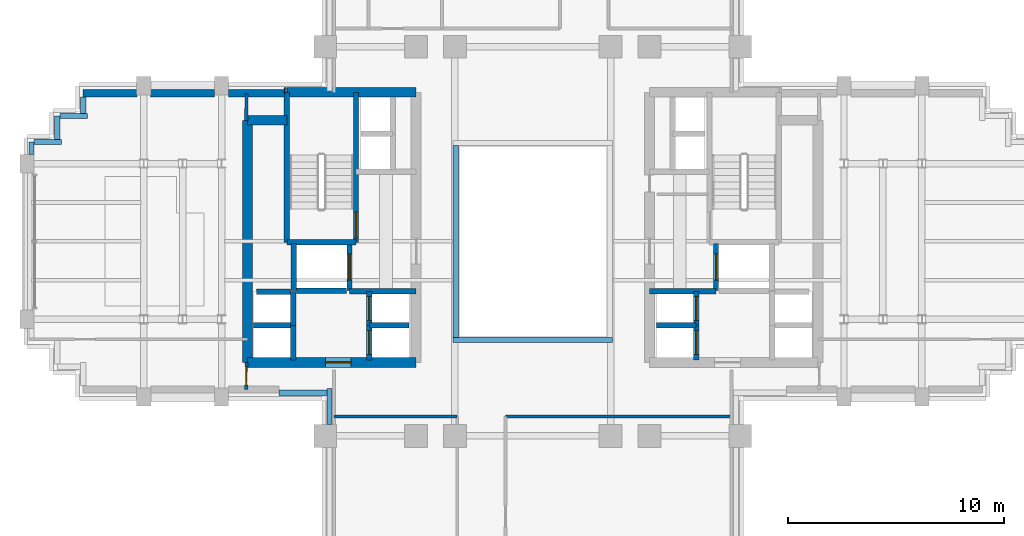
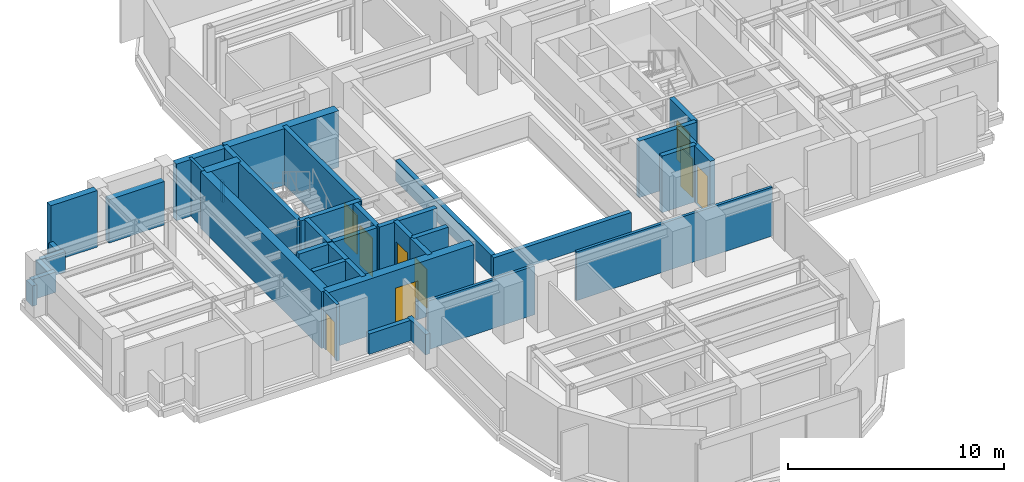
# One storey, part 8 of 13: 40 walls, 9 doors, 9 openings.
"""IFC4 building model written with IfcOpenShell, lengths in metres."""

from ifc_helpers import new_model, si_unit, direction, frame, frame_2d, origin, place, context, subcontext, project, spatial, rectangle, extrude, source, transform, mapped, material, layer, layer_set, type_object, element, fill, save


model = new_model("IFC4")

# Units and contexts
model_context = context("Model", 3, precision=1e-05, world=origin(), true_north=direction((0.0, 1.0)))
body_context = subcontext(model_context, "Body", "Model", "MODEL_VIEW")
ifc_project = project(units=[si_unit("LENGTHUNIT", "METRE"), si_unit("AREAUNIT", "SQUARE_METRE"), si_unit("VOLUMEUNIT", "CUBIC_METRE"), si_unit("PLANEANGLEUNIT", "RADIAN"), si_unit("MASSUNIT", "GRAM", prefix="KILO")], contexts=[model_context])

# Site, building, storey
site_placement = place(None, origin())
site = spatial("IfcSite", under=ifc_project, at=site_placement, CompositionType="ELEMENT")
building_placement = place(site_placement, origin())
building = spatial("IfcBuilding", under=site, at=building_placement, Name="Keilestroom Media Tower", CompositionType="ELEMENT")
storey_placement = place(building_placement, frame((0.0, 0.0, 97.199951171875)))
storey = spatial("IfcBuildingStorey", under=building, at=storey_placement, Name="L25", CompositionType="ELEMENT", Elevation=97.199951171875)

# Walls
ifc_material_1 = material(Name="Precast concrete C40/50", Category="concrete")
ifc_layer_1 = layer(ifc_material_1, 0.340087890625)
ifc_layer_set_1 = layer_set([ifc_layer_1], Name="Precast concrete C40/50")
wall_type_1 = type_object("IfcWallType", Name="Exterior-Masonry-Spandrel-Wall-340", PredefinedType="SOLIDWALL", material=ifc_layer_set_1)
wall_1_placement = place(storey_placement, frame((-20.800048828125, 6.85009765625, 0.0), z_axis=(0.0, 0.0, 1.0), x_axis=(1.0, 0.0, 0.0)))
element("IfcWall", 1, at=wall_1_placement, inside=storey, type_object=wall_type_1, Name="L25 Flank Masonry Wall EWL-L25-NW-1", PredefinedType="SOLIDWALL", context=body_context, shape_type="SweptSolid", body=[
    extrude(rectangle(XDim=2.483154296875, YDim=0.340087890625, at=frame_2d((1.24169921875, 0.0))), origin(), (0.0, 0.0, 1.0), 3.199951171875),
])
wall_2_placement = place(storey_placement, frame((-17.68310546875, 6.85009765625, 0.0), z_axis=(0.0, 0.0, 1.0), x_axis=(1.0, 0.0, 0.0)))
element("IfcWall", 2, at=wall_2_placement, inside=storey, type_object=wall_type_1, Name="L25 Flank Masonry Wall EWL-L25-NW-2", PredefinedType="SOLIDWALL", context=body_context, shape_type="SweptSolid", body=[
    extrude(rectangle(XDim=2.966064453125, YDim=0.340087890625, at=frame_2d((1.48291015625, 0.0))), origin(), (0.0, 0.0, 1.0), 2.449951171875),
])
wall_3_placement = place(storey_placement, frame((-14.0830078125, 6.85009765625, 0.0), z_axis=(0.0, 0.0, 1.0), x_axis=(1.0, 0.0, 0.0)))
element("IfcWall", 3, at=wall_3_placement, inside=storey, type_object=wall_type_1, Name="L25 Flank Masonry Wall EWL-L25-NW-3", PredefinedType="SOLIDWALL", context=body_context, shape_type="SweptSolid", body=[
    extrude(rectangle(XDim=2.5849609375, YDim=0.340087890625, at=frame_2d((1.29248046875, 0.0))), origin(), (0.0, 0.0, 1.0), 3.199951171875),
])
ifc_material_2 = material(Name="Gypsum Plasterboard & Steel Stud", Category="steel")
ifc_layer_2 = layer(ifc_material_2, 0.14990234375)
ifc_layer_set_2 = layer_set([ifc_layer_2], Name="Gypsum Plasterboard & Steel Stud")
wall_type_2 = type_object("IfcWallType", Name="Interior-Partition-Wall-150", PredefinedType="PARTITIONING", material=ifc_layer_set_2)
wall_4_placement = place(storey_placement, frame((-9.199951171875, -8.10009765625, 0.0), z_axis=(0.0, 0.0, 1.0), x_axis=(1.0, 0.0, 0.0)))
element("IfcWall", 4, at=wall_4_placement, inside=storey, type_object=wall_type_2, Name="L25 Interior Wall WP-L25-SL-BASE-W", PredefinedType="PARTITIONING", context=body_context, shape_type="SweptSolid", body=[
    extrude(rectangle(XDim=5.699951171875, YDim=0.14990234375, at=frame_2d((2.85009765625, 0.0))), origin(), (0.0, 0.0, 1.0), 2.760009765625),
])
wall_5_placement = place(storey_placement, frame((-1.260009765625, -8.10009765625, 0.0), z_axis=(0.0, 0.0, 1.0), x_axis=(1.0, 0.0, 0.0)))
element("IfcWall", 5, at=wall_5_placement, inside=storey, type_object=wall_type_2, Name="L25 Interior Wall WP-L25-SL-BASE-E", PredefinedType="PARTITIONING", context=body_context, shape_type="SweptSolid", body=[
    extrude(rectangle(XDim=10.4599609375, YDim=0.14990234375, at=frame_2d((5.22998046875, 0.0))), origin(), (0.0, 0.0, 1.0), 2.760009765625),
])
wall_6_placement = place(storey_placement, frame((-13.260009765625, 5.60009765625, 0.0), z_axis=(0.0, 0.0, 1.0), x_axis=(0.016013571389, 0.999871774545, 0.0)))
element("IfcWall", 6, at=wall_6_placement, inside=storey, type_object=wall_type_2, Name="L25 Interior Wall WP-L25-WA-ENTN", PredefinedType="PARTITIONING", context=body_context, shape_type="SweptSolid", body=[
    extrude(rectangle(XDim=1.250244140625, YDim=0.14990234375, at=frame_2d((0.625, 0.0))), origin(), (0.0, 0.0, 1.0), 3.199951171875),
])

# Wall, opening, door
wall_7_placement = place(storey_placement, frame((-13.260009765625, -6.85009765625, 0.0), z_axis=(0.0, 0.0, 1.0), x_axis=(0.016013571389, 0.999871774545, 0.0)))
wall_7 = element("IfcWall", 7, at=wall_7_placement, inside=storey, type_object=wall_type_2, Name="L25 Interior Wall WP-L25-WA-ENTS", PredefinedType="PARTITIONING", context=body_context, shape_type="SweptSolid", body=[
    extrude(rectangle(XDim=1.250244140625, YDim=0.14990234375, at=frame_2d((0.625, 0.0))), origin(), (0.0, 0.0, 1.0), 3.199951171875),
])
opening_1_placement = place(wall_7_placement, frame((0.199951171875, 0.0, 0.0)))
opening_1 = element("IfcOpeningElement", 8, at=opening_1_placement, cuts=wall_7, Name="Opening DI-05", PredefinedType="OPENING", context=body_context, shape_type="SweptSolid", body=[
    extrude(rectangle(XDim=0.85009765625, YDim=2.10009765625, at=frame_2d((0.425048828125, 1.050048828125))), frame((0.0, 0.0849609375, 0.0), z_axis=(0.0, -1.0, 0.0), x_axis=(1.0, 0.0, 0.0)), (0.0, 0.0, 1.0), 0.169921875),
])
ifc_material_3 = material(Name="Moisture-Resistant Oak Leaf", Category="wood")
door_type_1 = type_object("IfcDoorType", Name="Interior-En-Suite-And-Cupboard-Door-DI-05", OperationType="NOTDEFINED", PredefinedType="DOOR", material=ifc_material_3)
shared_shape_1 = source(origin(), body_context, "Body", "SweptSolid", [
    extrude(rectangle(XDim=0.85009765625, YDim=2.10009765625, at=frame_2d((0.425048828125, 1.050048828125))), frame((0.0, 0.02490234375, 0.0), z_axis=(0.0, -1.0, 0.0), x_axis=(1.0, 0.0, 0.0)), (0.0, 0.0, 1.0), 0.050048828125),
])
door_1_placement = place(opening_1_placement, origin())
door_1 = element("IfcDoor", 9, at=door_1_placement, inside=storey, type_object=door_type_1, Name="L25 Interior Door DI-L25-DWA-ENTS", OperationType="SINGLE_SWING_RIGHT", OverallHeight=2.10009765625, OverallWidth=0.85009765625, PredefinedType="DOOR", context=body_context, shape_type="MappedRepresentation", body=[
    mapped(shared_shape_1, transform((0.0, 0.0, 0.0), x_axis=(1.0, 0.0, 0.0), y_axis=(0.0, 1.0, 0.0), z_axis=(0.0, 0.0, 1.0), scale=1.0)),
])
fill(opening_1, door_1)

# Walls
ifc_material_4 = material(Name="Concrete C55/67", Category="concrete")
ifc_layer_3 = layer(ifc_material_4, 0.449951171875)
ifc_layer_set_3 = layer_set([ifc_layer_3], Name="Concrete C55/67")
wall_type_3 = type_object("IfcWallType", Name="Reinforced-Concrete-Core-Shear-Wall-450", PredefinedType="SHEAR", material=ifc_layer_set_3)
wall_8_placement = place(storey_placement, frame((-13.199951171875, -5.60009765625, 0.0), z_axis=(0.0, 0.0, 1.0), x_axis=(0.0, 1.0, 0.0)))
element("IfcWall", 10, at=wall_8_placement, inside=storey, type_object=wall_type_3, Name="L25 Core Shear Wall WL-L25-CORE-W-OUT", PredefinedType="SHEAR", context=body_context, shape_type="SweptSolid", body=[
    extrude(rectangle(XDim=11.2001953125, YDim=0.449951171875, at=frame_2d((5.60009765625, 0.0))), origin(), (0.0, 0.0, 1.0), 3.199951171875),
])
wall_9_placement = place(storey_placement, frame((-11.381103515625, 6.89990234375, 0.0), z_axis=(0.0, 0.0, 1.0), x_axis=(1.0, 0.0, 0.0)))
element("IfcWall", 11, at=wall_9_placement, inside=storey, type_object=wall_type_3, Name="L25 Core Shear Wall WL-L25-CORE-W-N", PredefinedType="SHEAR", context=body_context, shape_type="SweptSolid", body=[
    extrude(rectangle(XDim=5.981201171875, YDim=0.449951171875, at=frame_2d((2.99072265625, 0.0))), origin(), (0.0, 0.0, 1.0), 3.199951171875),
])
wall_10_placement = place(storey_placement, frame((-13.199951171875, 5.60009765625, 0.0), z_axis=(0.0, 0.0, 1.0), x_axis=(1.0, 0.0, 0.0)))
element("IfcWall", 12, at=wall_10_placement, inside=storey, type_object=wall_type_3, Name="L25 Core Shear Wall WL-L25-CNW-N", PredefinedType="SHEAR", context=body_context, shape_type="SweptSolid", body=[
    extrude(rectangle(XDim=1.81884765625, YDim=0.449951171875, at=frame_2d((0.909423828125, 0.0))), origin(), (0.0, 0.0, 1.0), 3.199951171875),
])

# Wall, opening, door
wall_11_placement = place(storey_placement, frame((-13.199951171875, -5.60009765625, 0.0), z_axis=(0.0, 0.0, 1.0), x_axis=(1.0, 0.0, 0.0)))
wall_11 = element("IfcWall", 13, at=wall_11_placement, inside=storey, type_object=wall_type_3, Name="L25 Core Shear Wall WL-L25-CORE-W-S", PredefinedType="SHEAR", context=body_context, shape_type="SweptSolid", body=[
    extrude(rectangle(XDim=7.800048828125, YDim=0.449951171875, at=frame_2d((3.89990234375, 0.0))), origin(), (0.0, 0.0, 1.0), 3.199951171875),
])
opening_2_placement = place(wall_11_placement, frame((3.60009765625, 0.0, 0.0)))
opening_2 = element("IfcOpeningElement", 14, at=opening_2_placement, cuts=wall_11, Name="Opening DI-02", PredefinedType="OPENING", context=body_context, shape_type="SweptSolid", body=[
    extrude(rectangle(XDim=1.199951171875, YDim=2.199951171875, at=frame_2d((0.60009765625, 1.10009765625))), frame((0.0, 0.23486328125, 0.0), z_axis=(0.0, -1.0, 0.0), x_axis=(1.0, 0.0, 0.0)), (0.0, 0.0, 1.0), 0.469970703125),
])
ifc_material_5 = material(Name="Powder-Coated Steel Fire Leaf", Category="steel")
door_type_2 = type_object("IfcDoorType", Name="Interior-Compartment-Fire-Door-DI-02", OperationType="NOTDEFINED", PredefinedType="DOOR", material=ifc_material_5)
shared_shape_2 = source(origin(), body_context, "Body", "SweptSolid", [
    extrude(rectangle(XDim=1.199951171875, YDim=2.199951171875, at=frame_2d((0.60009765625, 1.10009765625))), frame((0.0, 0.02490234375, 0.0), z_axis=(0.0, -1.0, 0.0), x_axis=(1.0, 0.0, 0.0)), (0.0, 0.0, 1.0), 0.050048828125),
])
door_2_placement = place(opening_2_placement, origin())
door_2 = element("IfcDoor", 15, at=door_2_placement, inside=storey, type_object=door_type_2, Name="L25 W Passenger Lift Lobby Door", OperationType="SINGLE_SWING_LEFT", OverallHeight=2.199951171875, OverallWidth=1.199951171875, PredefinedType="DOOR", context=body_context, shape_type="MappedRepresentation", body=[
    mapped(shared_shape_2, transform((0.0, 0.0, 0.0), x_axis=(1.0, 0.0, 0.0), y_axis=(0.0, 1.0, 0.0), z_axis=(0.0, 0.0, 1.0), scale=1.0)),
])
fill(opening_2, door_2)

# Wall
ifc_material_6 = material(Name="Concrete C50/60", Category="concrete")
ifc_layer_4 = layer(ifc_material_6, 0.25)
ifc_layer_set_4 = layer_set([ifc_layer_4], Name="Concrete C50/60")
wall_type_4 = type_object("IfcWallType", Name="Reinforced-Concrete-Shaft-Wall-250", PredefinedType="SOLIDWALL", material=ifc_layer_set_4)
wall_12_placement = place(storey_placement, frame((-8.47998046875, -2.300048828125, 0.0), z_axis=(0.0, 0.0, 1.0), x_axis=(1.0, 0.0, 0.0)))
element("IfcWall", 16, at=wall_12_placement, inside=storey, type_object=wall_type_4, Name="L25 Core Shear Wall WL-L25-CORE-W-FFS", PredefinedType="SOLIDWALL", context=body_context, shape_type="SweptSolid", body=[
    extrude(rectangle(XDim=3.080078125, YDim=0.25, at=frame_2d((1.5400390625, 0.0))), origin(), (0.0, 0.0, 1.0), 3.199951171875),
])

# Wall, opening, door
wall_13_placement = place(storey_placement, frame((-8.178955078125, -0.041015625, 0.0), z_axis=(0.0, 0.0, 1.0), x_axis=(0.0, 1.0, 0.0)))
wall_13 = element("IfcWall", 17, at=wall_13_placement, inside=storey, type_object=wall_type_4, Name="L25 Core Shear Wall WL-L25-STW-W-NEAR", PredefinedType="SOLIDWALL", context=body_context, shape_type="SweptSolid", body=[
    extrude(rectangle(XDim=6.94091796875, YDim=0.25, at=frame_2d((3.470458984375, 0.0))), origin(), (0.0, 0.0, 1.0), 3.199951171875),
])
opening_3_placement = place(wall_13_placement, frame((0.199951171875, 0.0, 0.0)))
opening_3 = element("IfcOpeningElement", 18, at=opening_3_placement, cuts=wall_13, Name="Opening DI-01S", PredefinedType="OPENING", context=body_context, shape_type="SweptSolid", body=[
    extrude(rectangle(XDim=1.199951171875, YDim=2.199951171875, at=frame_2d((0.60009765625, 1.10009765625))), frame((0.0, 0.135009765625, 0.0), z_axis=(0.0, -1.0, 0.0), x_axis=(1.0, 0.0, 0.0)), (0.0, 0.0, 1.0), 0.27001953125),
])
door_type_3 = type_object("IfcDoorType", Name="Interior-Stair-And-Core-Fire-Door-DI-01", OperationType="NOTDEFINED", PredefinedType="DOOR", material=ifc_material_5)
door_3_placement = place(opening_3_placement, origin())
door_3 = element("IfcDoor", 19, at=door_3_placement, inside=storey, type_object=door_type_3, Name="L25 Escape Stair ST-1 Fire Door", OperationType="SINGLE_SWING_LEFT", OverallHeight=2.199951171875, OverallWidth=1.199951171875, PredefinedType="DOOR", context=body_context, shape_type="MappedRepresentation", body=[
    mapped(shared_shape_2, transform((0.0, 0.0, 0.0), x_axis=(1.0, 0.0, 0.0), y_axis=(0.0, 1.0, 0.0), z_axis=(0.0, 0.0, 1.0), scale=1.0)),
])
fill(opening_3, door_3)

# Walls
wall_14_placement = place(storey_placement, frame((-11.381103515625, -0.041015625, 0.0), z_axis=(0.0, 0.0, 1.0), x_axis=(0.0, 1.0, 0.0)))
element("IfcWall", 20, at=wall_14_placement, inside=storey, type_object=wall_type_4, Name="L25 Core Shear Wall WL-L25-STW-W-FAR", PredefinedType="SOLIDWALL", context=body_context, shape_type="SweptSolid", body=[
    extrude(rectangle(XDim=6.94091796875, YDim=0.25, at=frame_2d((3.470458984375, 0.0))), origin(), (0.0, 0.0, 1.0), 3.199951171875),
])
wall_15_placement = place(storey_placement, frame((-11.381103515625, -0.041015625, 0.0), z_axis=(0.0, 0.0, 1.0), x_axis=(1.0, 0.0, 0.0)))
element("IfcWall", 21, at=wall_15_placement, inside=storey, type_object=wall_type_4, Name="L25 Core Shear Wall WL-L25-STW-W-S", PredefinedType="SOLIDWALL", context=body_context, shape_type="SweptSolid", body=[
    extrude(rectangle(XDim=3.2021484375, YDim=0.25, at=frame_2d((1.60107421875, 0.0))), origin(), (0.0, 0.0, 1.0), 3.199951171875),
])
wall_16_placement = place(storey_placement, frame((5.39990234375, -2.300048828125, 0.0), z_axis=(0.0, 0.0, 1.0), x_axis=(1.0, 0.0, 0.0)))
element("IfcWall", 22, at=wall_16_placement, inside=storey, type_object=wall_type_4, Name="L25 Core Shear Wall WL-L25-CORE-E-FFS", PredefinedType="SOLIDWALL", context=body_context, shape_type="SweptSolid", body=[
    extrude(rectangle(XDim=3.080078125, YDim=0.25, at=frame_2d((1.5400390625, 0.0))), origin(), (0.0, 0.0, 1.0), 3.199951171875),
])
wall_17_placement = place(storey_placement, frame((-11.050048828125, -2.280029296875, 0.0), z_axis=(0.0, 0.0, 1.0), x_axis=(0.0, 1.0, 0.0)))
element("IfcWall", 23, at=wall_17_placement, inside=storey, type_object=wall_type_4, Name="L25 Core Shear Wall WL-L25-LSH-FFL-1-W", PredefinedType="SOLIDWALL", context=body_context, shape_type="SweptSolid", body=[
    extrude(rectangle(XDim=2.179931640625, YDim=0.25, at=frame_2d((1.08984375, 0.0))), origin(), (0.0, 0.0, 1.0), 3.199951171875),
])

# Wall, opening, door
wall_18_placement = place(storey_placement, frame((-8.47998046875, -2.280029296875, 0.0), z_axis=(0.0, 0.0, 1.0), x_axis=(0.0, 1.0, 0.0)))
wall_18 = element("IfcWall", 24, at=wall_18_placement, inside=storey, type_object=wall_type_4, Name="L25 Core Shear Wall WL-L25-LSH-FFL-1-E", PredefinedType="SOLIDWALL", context=body_context, shape_type="SweptSolid", body=[
    extrude(rectangle(XDim=2.179931640625, YDim=0.25, at=frame_2d((1.08984375, 0.0))), origin(), (0.0, 0.0, 1.0), 3.199951171875),
])
opening_4_placement = place(wall_18_placement, frame((0.489990234375, 0.0, 0.0)))
opening_4 = element("IfcOpeningElement", 25, at=opening_4_placement, cuts=wall_18, Name="Opening LD-02", PredefinedType="OPENING", context=body_context, shape_type="SweptSolid", body=[
    extrude(rectangle(XDim=1.199951171875, YDim=2.199951171875, at=frame_2d((0.60009765625, 1.10009765625))), frame((0.0, 0.135009765625, 0.0), z_axis=(0.0, -1.0, 0.0), x_axis=(1.0, 0.0, 0.0)), (0.0, 0.0, 1.0), 0.27001953125),
])
ifc_material_7 = material(Name="Brushed Stainless Steel Sliding Leaf", Category="steel")
door_type_4 = type_object("IfcDoorType", Name="Lift-Landing-Sliding-Door-LD-02", OperationType="SLIDING_TO_RIGHT", PredefinedType="DOOR", material=ifc_material_7)
door_4_placement = place(opening_4_placement, origin())
door_4 = element("IfcDoor", 26, at=door_4_placement, inside=storey, type_object=door_type_4, Name="L25 Lift FFL-1 Landing Sliding Door", OperationType="SLIDING_TO_RIGHT", OverallHeight=2.199951171875, OverallWidth=1.199951171875, PredefinedType="DOOR", context=body_context, shape_type="MappedRepresentation", body=[
    mapped(shared_shape_2, transform((0.0, 0.0, 0.0), x_axis=(1.0, 0.0, 0.0), y_axis=(0.0, 1.0, 0.0), z_axis=(0.0, 0.0, 1.0), scale=1.0)),
])
fill(opening_4, door_4)

# Wall
wall_19_placement = place(storey_placement, frame((-10.9208984375, -2.280029296875, 0.0), z_axis=(0.0, 0.0, 1.0), x_axis=(1.0, 0.0, 0.0)))
element("IfcWall", 27, at=wall_19_placement, inside=storey, type_object=wall_type_4, Name="L25 Core Shear Wall WL-L25-LSH-FFL-1-S", PredefinedType="SOLIDWALL", context=body_context, shape_type="SweptSolid", body=[
    extrude(rectangle(XDim=2.31201171875, YDim=0.25, at=frame_2d((1.156005859375, 0.0))), origin(), (0.0, 0.0, 1.0), 3.199951171875),
])

# Wall, opening, door
wall_20_placement = place(storey_placement, frame((8.47998046875, -2.280029296875, 0.0), z_axis=(0.0, 0.0, 1.0), x_axis=(0.0, 1.0, 0.0)))
wall_20 = element("IfcWall", 28, at=wall_20_placement, inside=storey, type_object=wall_type_4, Name="L25 Core Shear Wall WL-L25-LSH-FFL-2-W", PredefinedType="SOLIDWALL", context=body_context, shape_type="SweptSolid", body=[
    extrude(rectangle(XDim=2.179931640625, YDim=0.25, at=frame_2d((1.08984375, 0.0))), origin(), (0.0, 0.0, 1.0), 3.199951171875),
])
opening_5_placement = place(wall_20_placement, frame((0.489990234375, 0.0, 0.0)))
opening_5 = element("IfcOpeningElement", 29, at=opening_5_placement, cuts=wall_20, Name="Opening LD-02", PredefinedType="OPENING", context=body_context, shape_type="SweptSolid", body=[
    extrude(rectangle(XDim=1.199951171875, YDim=2.199951171875, at=frame_2d((0.60009765625, 1.10009765625))), frame((0.0, 0.135009765625, 0.0), z_axis=(0.0, -1.0, 0.0), x_axis=(1.0, 0.0, 0.0)), (0.0, 0.0, 1.0), 0.27001953125),
])
door_5_placement = place(opening_5_placement, origin())
door_5 = element("IfcDoor", 30, at=door_5_placement, inside=storey, type_object=door_type_4, Name="L25 Lift FFL-2 Landing Sliding Door", OperationType="SLIDING_TO_RIGHT", OverallHeight=2.199951171875, OverallWidth=1.199951171875, PredefinedType="DOOR", context=body_context, shape_type="MappedRepresentation", body=[
    mapped(shared_shape_2, transform((0.0, 0.0, 0.0), x_axis=(1.0, 0.0, 0.0), y_axis=(0.0, 1.0, 0.0), z_axis=(0.0, 0.0, 1.0), scale=1.0)),
])
fill(opening_5, door_5)

# Walls
wall_21_placement = place(storey_placement, frame((-11.080078125, -5.47998046875, 0.0), z_axis=(0.0, 0.0, 1.0), x_axis=(0.0, 1.0, 0.0)))
element("IfcWall", 31, at=wall_21_placement, inside=storey, type_object=wall_type_4, Name="L25 Core Shear Wall WL-L25-LSH-PL-L1-E", PredefinedType="SOLIDWALL", context=body_context, shape_type="SweptSolid", body=[
    extrude(rectangle(XDim=1.60009765625, YDim=0.25, at=frame_2d((0.800048828125, 0.0))), origin(), (0.0, 0.0, 1.0), 3.199951171875),
])
wall_22_placement = place(storey_placement, frame((-12.919921875, -3.8798828125, 0.0), z_axis=(0.0, 0.0, 1.0), x_axis=(1.0, 0.0, 0.0)))
element("IfcWall", 32, at=wall_22_placement, inside=storey, type_object=wall_type_4, Name="L25 Core Shear Wall WL-L25-LSH-PL-L1-N", PredefinedType="SOLIDWALL", context=body_context, shape_type="SweptSolid", body=[
    extrude(rectangle(XDim=1.83984375, YDim=0.25, at=frame_2d((0.919921875, 0.0))), origin(), (0.0, 0.0, 1.0), 3.199951171875),
])
wall_23_placement = place(storey_placement, frame((-11.080078125, -3.8798828125, 0.0), z_axis=(0.0, 0.0, 1.0), x_axis=(0.0, 1.0, 0.0)))
element("IfcWall", 33, at=wall_23_placement, inside=storey, type_object=wall_type_4, Name="L25 Core Shear Wall WL-L25-LSH-PL-L2-E", PredefinedType="SOLIDWALL", context=body_context, shape_type="SweptSolid", body=[
    extrude(rectangle(XDim=1.559814453125, YDim=0.25, at=frame_2d((0.77978515625, 0.0))), origin(), (0.0, 0.0, 1.0), 3.199951171875),
])
wall_24_placement = place(storey_placement, frame((-12.791015625, -2.320068359375, 0.0), z_axis=(0.0, 0.0, 1.0), x_axis=(1.0, 0.0, 0.0)))
element("IfcWall", 34, at=wall_24_placement, inside=storey, type_object=wall_type_4, Name="L25 Core Shear Wall WL-L25-LSH-PL-L2-N", PredefinedType="SOLIDWALL", context=body_context, shape_type="SweptSolid", body=[
    extrude(rectangle(XDim=1.58203125, YDim=0.25, at=frame_2d((0.791015625, 0.0))), origin(), (0.0, 0.0, 1.0), 3.199951171875),
])

# Wall, opening, door
wall_25_placement = place(storey_placement, frame((-7.56005859375, -5.47998046875, 0.0), z_axis=(0.0, 0.0, 1.0), x_axis=(0.0, 1.0, 0.0)))
wall_25 = element("IfcWall", 35, at=wall_25_placement, inside=storey, type_object=wall_type_4, Name="L25 Core Shear Wall WL-L25-LSH-PL-M1-W", PredefinedType="SOLIDWALL", context=body_context, shape_type="SweptSolid", body=[
    extrude(rectangle(XDim=1.60009765625, YDim=0.25, at=frame_2d((0.800048828125, 0.0))), origin(), (0.0, 0.0, 1.0), 3.199951171875),
])
opening_6_placement = place(wall_25_placement, frame((0.25, 0.0, 0.0)))
opening_6 = element("IfcOpeningElement", 36, at=opening_6_placement, cuts=wall_25, Name="Opening LD-01", PredefinedType="OPENING", context=body_context, shape_type="SweptSolid", body=[
    extrude(rectangle(XDim=1.10009765625, YDim=2.199951171875, at=frame_2d((0.550048828125, 1.10009765625))), frame((0.0, 0.135009765625, 0.0), z_axis=(0.0, -1.0, 0.0), x_axis=(1.0, 0.0, 0.0)), (0.0, 0.0, 1.0), 0.27001953125),
])
door_type_5 = type_object("IfcDoorType", Name="Lift-Landing-Sliding-Door-LD-01", OperationType="SLIDING_TO_LEFT", PredefinedType="DOOR", material=ifc_material_7)
shared_shape_3 = source(origin(), body_context, "Body", "SweptSolid", [
    extrude(rectangle(XDim=1.10009765625, YDim=2.199951171875, at=frame_2d((0.550048828125, 1.10009765625))), frame((0.0, 0.02490234375, 0.0), z_axis=(0.0, -1.0, 0.0), x_axis=(1.0, 0.0, 0.0)), (0.0, 0.0, 1.0), 0.050048828125),
])
door_6_placement = place(opening_6_placement, origin())
door_6 = element("IfcDoor", 37, at=door_6_placement, inside=storey, type_object=door_type_5, Name="L25 Lift PL-M1 Landing Sliding Door", OperationType="SLIDING_TO_LEFT", OverallHeight=2.199951171875, OverallWidth=1.10009765625, PredefinedType="DOOR", context=body_context, shape_type="MappedRepresentation", body=[
    mapped(shared_shape_3, transform((0.0, 0.0, 0.0), x_axis=(1.0, 0.0, 0.0), y_axis=(0.0, 1.0, 0.0), z_axis=(0.0, 0.0, 1.0), scale=1.0)),
])
fill(opening_6, door_6)

# Wall
wall_26_placement = place(storey_placement, frame((-7.56005859375, -3.8798828125, 0.0), z_axis=(0.0, 0.0, 1.0), x_axis=(1.0, 0.0, 0.0)))
element("IfcWall", 38, at=wall_26_placement, inside=storey, type_object=wall_type_4, Name="L25 Core Shear Wall WL-L25-LSH-PL-M1-N", PredefinedType="SOLIDWALL", context=body_context, shape_type="SweptSolid", body=[
    extrude(rectangle(XDim=1.840087890625, YDim=0.25, at=frame_2d((0.919921875, 0.0))), origin(), (0.0, 0.0, 1.0), 3.199951171875),
])

# Wall, opening, door
wall_27_placement = place(storey_placement, frame((-7.56005859375, -3.8798828125, 0.0), z_axis=(0.0, 0.0, 1.0), x_axis=(0.0, 1.0, 0.0)))
wall_27 = element("IfcWall", 39, at=wall_27_placement, inside=storey, type_object=wall_type_4, Name="L25 Core Shear Wall WL-L25-LSH-PL-M2-W", PredefinedType="SOLIDWALL", context=body_context, shape_type="SweptSolid", body=[
    extrude(rectangle(XDim=1.559814453125, YDim=0.25, at=frame_2d((0.77978515625, 0.0))), origin(), (0.0, 0.0, 1.0), 3.199951171875),
])
opening_7_placement = place(wall_27_placement, frame((0.22998046875, 0.0, 0.0)))
opening_7 = element("IfcOpeningElement", 40, at=opening_7_placement, cuts=wall_27, Name="Opening LD-01", PredefinedType="OPENING", context=body_context, shape_type="SweptSolid", body=[
    extrude(rectangle(XDim=1.10009765625, YDim=2.199951171875, at=frame_2d((0.550048828125, 1.10009765625))), frame((0.0, 0.135009765625, 0.0), z_axis=(0.0, -1.0, 0.0), x_axis=(1.0, 0.0, 0.0)), (0.0, 0.0, 1.0), 0.27001953125),
])
door_7_placement = place(opening_7_placement, origin())
door_7 = element("IfcDoor", 41, at=door_7_placement, inside=storey, type_object=door_type_5, Name="L25 Lift PL-M2 Landing Sliding Door", OperationType="SLIDING_TO_LEFT", OverallHeight=2.199951171875, OverallWidth=1.10009765625, PredefinedType="DOOR", context=body_context, shape_type="MappedRepresentation", body=[
    mapped(shared_shape_3, transform((0.0, 0.0, 0.0), x_axis=(1.0, 0.0, 0.0), y_axis=(0.0, 1.0, 0.0), z_axis=(0.0, 0.0, 1.0), scale=1.0)),
])
fill(opening_7, door_7)

wall_28_placement = place(storey_placement, frame((7.56005859375, -5.47998046875, 0.0), z_axis=(0.0, 0.0, 1.0), x_axis=(0.0, 1.0, 0.0)))
wall_28 = element("IfcWall", 42, at=wall_28_placement, inside=storey, type_object=wall_type_4, Name="L25 Core Shear Wall WL-L25-LSH-PL-M3-E", PredefinedType="SOLIDWALL", context=body_context, shape_type="SweptSolid", body=[
    extrude(rectangle(XDim=1.60009765625, YDim=0.25, at=frame_2d((0.800048828125, 0.0))), origin(), (0.0, 0.0, 1.0), 3.199951171875),
])
opening_8_placement = place(wall_28_placement, frame((0.25, 0.0, 0.0)))
opening_8 = element("IfcOpeningElement", 43, at=opening_8_placement, cuts=wall_28, Name="Opening LD-01", PredefinedType="OPENING", context=body_context, shape_type="SweptSolid", body=[
    extrude(rectangle(XDim=1.10009765625, YDim=2.199951171875, at=frame_2d((0.550048828125, 1.10009765625))), frame((0.0, 0.135009765625, 0.0), z_axis=(0.0, -1.0, 0.0), x_axis=(1.0, 0.0, 0.0)), (0.0, 0.0, 1.0), 0.27001953125),
])
door_8_placement = place(opening_8_placement, origin())
door_8 = element("IfcDoor", 44, at=door_8_placement, inside=storey, type_object=door_type_5, Name="L25 Lift PL-M3 Landing Sliding Door", OperationType="SLIDING_TO_LEFT", OverallHeight=2.199951171875, OverallWidth=1.10009765625, PredefinedType="DOOR", context=body_context, shape_type="MappedRepresentation", body=[
    mapped(shared_shape_3, transform((0.0, 0.0, 0.0), x_axis=(1.0, 0.0, 0.0), y_axis=(0.0, 1.0, 0.0), z_axis=(0.0, 0.0, 1.0), scale=1.0)),
])
fill(opening_8, door_8)

# Wall
wall_29_placement = place(storey_placement, frame((5.719970703125, -3.8798828125, 0.0), z_axis=(0.0, 0.0, 1.0), x_axis=(1.0, 0.0, 0.0)))
element("IfcWall", 45, at=wall_29_placement, inside=storey, type_object=wall_type_4, Name="L25 Core Shear Wall WL-L25-LSH-PL-M3-N", PredefinedType="SOLIDWALL", context=body_context, shape_type="SweptSolid", body=[
    extrude(rectangle(XDim=1.840087890625, YDim=0.25, at=frame_2d((0.919921875, 0.0))), origin(), (0.0, 0.0, 1.0), 3.199951171875),
])

# Wall, opening, door
wall_30_placement = place(storey_placement, frame((7.56005859375, -3.8798828125, 0.0), z_axis=(0.0, 0.0, 1.0), x_axis=(0.0, 1.0, 0.0)))
wall_30 = element("IfcWall", 46, at=wall_30_placement, inside=storey, type_object=wall_type_4, Name="L25 Core Shear Wall WL-L25-LSH-PL-M4-E", PredefinedType="SOLIDWALL", context=body_context, shape_type="SweptSolid", body=[
    extrude(rectangle(XDim=1.559814453125, YDim=0.25, at=frame_2d((0.77978515625, 0.0))), origin(), (0.0, 0.0, 1.0), 3.199951171875),
])
opening_9_placement = place(wall_30_placement, frame((0.22998046875, 0.0, 0.0)))
opening_9 = element("IfcOpeningElement", 47, at=opening_9_placement, cuts=wall_30, Name="Opening LD-01", PredefinedType="OPENING", context=body_context, shape_type="SweptSolid", body=[
    extrude(rectangle(XDim=1.10009765625, YDim=2.199951171875, at=frame_2d((0.550048828125, 1.10009765625))), frame((0.0, 0.135009765625, 0.0), z_axis=(0.0, -1.0, 0.0), x_axis=(1.0, 0.0, 0.0)), (0.0, 0.0, 1.0), 0.27001953125),
])
door_9_placement = place(opening_9_placement, origin())
door_9 = element("IfcDoor", 48, at=door_9_placement, inside=storey, type_object=door_type_5, Name="L25 Lift PL-M4 Landing Sliding Door", OperationType="SLIDING_TO_LEFT", OverallHeight=2.199951171875, OverallWidth=1.10009765625, PredefinedType="DOOR", context=body_context, shape_type="MappedRepresentation", body=[
    mapped(shared_shape_3, transform((0.0, 0.0, 0.0), x_axis=(1.0, 0.0, 0.0), y_axis=(0.0, 1.0, 0.0), z_axis=(0.0, 0.0, 1.0), scale=1.0)),
])
fill(opening_9, door_9)

# Walls
ifc_layer_5 = layer(ifc_material_1, 0.239990234375)
ifc_layer_set_5 = layer_set([ifc_layer_5], Name="Precast concrete C40/50")
wall_type_5 = type_object("IfcWallType", Name="Roof-And-Terrace-Parapet-Wall-240", PredefinedType="PARAPET", material=ifc_layer_set_5)
wall_31_placement = place(storey_placement, frame((-9.39990234375, -8.471923828125, 0.0), z_axis=(0.0, 0.0, 1.0), x_axis=(0.0, 1.0, 0.0)))
element("IfcWall", 49, at=wall_31_placement, inside=storey, type_object=wall_type_5, Name="L25 Perimeter Edge Parapet Wall 09", PredefinedType="PARAPET", context=body_context, shape_type="SweptSolid", body=[
    extrude(rectangle(XDim=1.671875, YDim=0.239990234375, at=frame_2d((0.8359375, 0.0))), origin(), (0.0, 0.0, 1.0), 1.150146484375),
])
wall_32_placement = place(storey_placement, frame((-9.52294921875, -7.0, 0.0), z_axis=(0.0, 0.0, 1.0), x_axis=(-1.0, 0.0, 0.0)))
element("IfcWall", 50, at=wall_32_placement, inside=storey, type_object=wall_type_5, Name="L25 Perimeter Edge Parapet Wall 10", PredefinedType="PARAPET", context=body_context, shape_type="SweptSolid", body=[
    extrude(rectangle(XDim=2.22412109375, YDim=0.239990234375, at=frame_2d((1.112060546875, 0.0))), origin(), (0.0, 0.0, 1.0), 1.150146484375),
])
wall_33_placement = place(storey_placement, frame((-23.199951171875, 4.028076171875, 0.0), z_axis=(0.0, 0.0, 1.0), x_axis=(0.0, 1.0, 0.0)))
element("IfcWall", 51, at=wall_33_placement, inside=storey, type_object=wall_type_5, Name="L25 Perimeter Edge Parapet Wall 15", PredefinedType="PARAPET", context=body_context, shape_type="SweptSolid", body=[
    extrude(rectangle(XDim=0.572021484375, YDim=0.239990234375, at=frame_2d((0.2861328125, 0.0))), origin(), (0.0, 0.0, 1.0), 1.150146484375),
])
wall_34_placement = place(storey_placement, frame((-23.076904296875, 4.60009765625, 0.0), z_axis=(0.0, 0.0, 1.0), x_axis=(1.0, 0.0, 0.0)))
element("IfcWall", 52, at=wall_34_placement, inside=storey, type_object=wall_type_5, Name="L25 Perimeter Edge Parapet Wall 16", PredefinedType="PARAPET", context=body_context, shape_type="SweptSolid", body=[
    extrude(rectangle(XDim=1.27685546875, YDim=0.239990234375, at=frame_2d((0.638427734375, 0.0))), origin(), (0.0, 0.0, 1.0), 1.150146484375),
])
wall_35_placement = place(storey_placement, frame((-22.0, 4.722900390625, 0.0), z_axis=(0.0, 0.0, 1.0), x_axis=(0.0, 1.0, 0.0)))
element("IfcWall", 53, at=wall_35_placement, inside=storey, type_object=wall_type_5, Name="L25 Perimeter Edge Parapet Wall 17", PredefinedType="PARAPET", context=body_context, shape_type="SweptSolid", body=[
    extrude(rectangle(XDim=1.0771484375, YDim=0.239990234375, at=frame_2d((0.53857421875, 0.0))), origin(), (0.0, 0.0, 1.0), 1.150146484375),
])
wall_36_placement = place(storey_placement, frame((-21.876953125, 5.800048828125, 0.0), z_axis=(0.0, 0.0, 1.0), x_axis=(1.0, 0.0, 0.0)))
element("IfcWall", 54, at=wall_36_placement, inside=storey, type_object=wall_type_5, Name="L25 Perimeter Edge Parapet Wall 18", PredefinedType="PARAPET", context=body_context, shape_type="SweptSolid", body=[
    extrude(rectangle(XDim=1.27685546875, YDim=0.239990234375, at=frame_2d((0.638427734375, 0.0))), origin(), (0.0, 0.0, 1.0), 1.150146484375),
])
wall_37_placement = place(storey_placement, frame((-20.800048828125, 5.923095703125, 0.0), z_axis=(0.0, 0.0, 1.0), x_axis=(0.0, 1.0, 0.0)))
element("IfcWall", 55, at=wall_37_placement, inside=storey, type_object=wall_type_5, Name="L25 Perimeter Edge Parapet Wall 19", PredefinedType="PARAPET", context=body_context, shape_type="SweptSolid", body=[
    extrude(rectangle(XDim=0.75390625, YDim=0.239990234375, at=frame_2d((0.376953125, 0.0))), origin(), (0.0, 0.0, 1.0), 1.150146484375),
])
wall_38_placement = place(storey_placement, frame((-11.4951171875, 7.0, 0.0), z_axis=(0.0, 0.0, 1.0), x_axis=(1.0, 0.0, 0.0)))
element("IfcWall", 56, at=wall_38_placement, inside=storey, type_object=wall_type_5, Name="L25 Perimeter Edge Parapet Wall 20", PredefinedType="PARAPET", context=body_context, shape_type="SweptSolid", body=[
    extrude(rectangle(XDim=0.092041015625, YDim=0.239990234375, at=frame_2d((0.0458984375, 0.0))), origin(), (0.0, 0.0, 1.0), 1.150146484375),
])
wall_39_placement = place(storey_placement, frame((-3.679931640625, -4.56005859375, 0.0), z_axis=(0.0, 0.0, 1.0), x_axis=(1.0, 0.0, 0.0)))
element("IfcWall", 57, at=wall_39_placement, inside=storey, type_object=wall_type_5, Name="L25 Central Atrium Guard Parapet S", PredefinedType="PARAPET", context=body_context, shape_type="SweptSolid", body=[
    extrude(rectangle(XDim=7.35986328125, YDim=0.239990234375, at=frame_2d((3.679931640625, 0.0))), origin(), (0.0, 0.0, 1.0), 1.150146484375),
])
wall_40_placement = place(storey_placement, frame((-3.56005859375, -4.43505859375, 0.0), z_axis=(0.0, 0.0, 1.0), x_axis=(0.0, 1.0, 0.0)))
element("IfcWall", 58, at=wall_40_placement, inside=storey, type_object=wall_type_5, Name="L25 Central Atrium Guard Parapet W", PredefinedType="PARAPET", context=body_context, shape_type="SweptSolid", body=[
    extrude(rectangle(XDim=8.8701171875, YDim=0.239990234375, at=frame_2d((4.43505859375, 0.0))), origin(), (0.0, 0.0, 1.0), 1.150146484375),
])

save(model, "model.ifc")
